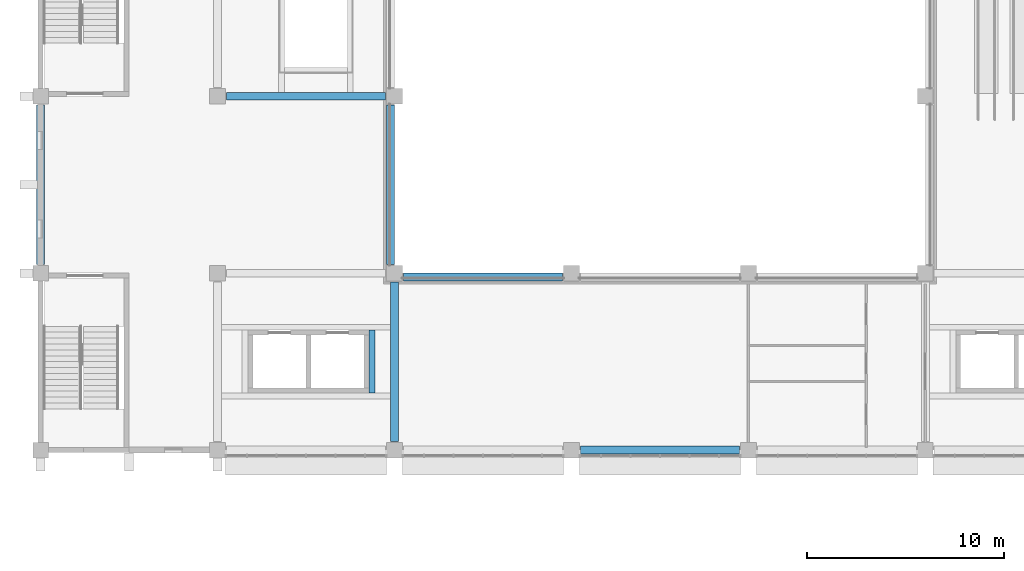
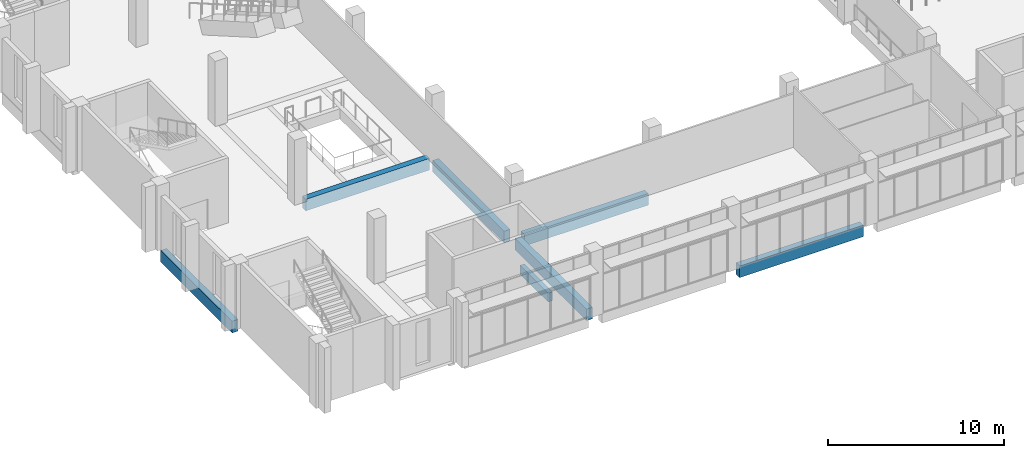
# One storey, part 4 of 106: 7 beams.
"""IFC4 building model written with IfcOpenShell, lengths in metres."""

from ifc_helpers import new_model, si_unit, direction, frame, origin, origin_2d, place, context, subcontext, project, spatial, rectangle, extrude, material, material_profile, profile_set, type_object, element, save


model = new_model("IFC4")

# Units and contexts
model_context = context("Model", 3, precision=1e-05, world=origin(), true_north=direction((0.0, 1.0)))
body_context = subcontext(model_context, "Body", "Model", "MODEL_VIEW")
ifc_project = project(units=[si_unit("LENGTHUNIT", "METRE"), si_unit("AREAUNIT", "SQUARE_METRE"), si_unit("VOLUMEUNIT", "CUBIC_METRE"), si_unit("PLANEANGLEUNIT", "RADIAN"), si_unit("MASSUNIT", "GRAM", prefix="KILO")], contexts=[model_context])

# Site, building, storey
site_placement = place(None, origin())
site = spatial("IfcSite", under=ifc_project, at=site_placement, CompositionType="ELEMENT")
building_placement = place(site_placement, origin())
building = spatial("IfcBuilding", under=site, at=building_placement, Name="Guidao Yard Department Store", CompositionType="ELEMENT")
storey_placement = place(building_placement, frame((0.0, 0.0, 10.5)))
storey = spatial("IfcBuildingStorey", under=building, at=storey_placement, Name="L02", CompositionType="ELEMENT", Elevation=10.5)

# Beams
ifc_material_1 = material(Name="Concrete C40", Category="concrete")
ifc_material_profile_1 = material_profile(ifc_material_1, rectangle(XDim=0.39990234375, YDim=0.800048828125, at=origin_2d()), Name="Edge beam 400 x 800 C40")
ifc_profile_set_1 = profile_set([ifc_material_profile_1], Name="Concrete C40")
beam_type_1 = type_object("IfcBeamType", Name="Edge beam 400 x 800 C40", PredefinedType="BEAM", material=ifc_profile_set_1)
for number, where, z_axis, x_axis, name in (
    (1, (17.800048828125, 54.449951171875, -0.39990234375), (0.0, 1.0, 0.0), (-1.0, 0.0, 0.0), "Beam EB15"),
    (2, (18.449951171875, 53.800048828125, -0.39990234375), (1.0, 0.0, 0.0), (0.0, 1.0, 0.0), "Beam EB19"),
    (3, (18.0, 45.449951171875, -0.39990234375), (0.0, 1.0, 0.0), (-1.0, 0.0, 0.0), "Beam EB64"),
    (4, (9.449951171875, 63.0, -0.39990234375), (1.0, 0.0, 0.0), (0.0, 1.0, 0.0), "Beam EB65"),
):
    element("IfcBeam", number, at=place(storey_placement, frame(where, z_axis=z_axis, x_axis=x_axis)), inside=storey, type_object=beam_type_1, Name=name, PredefinedType="BEAM", context=body_context, shape_type="SweptSolid", body=[
        extrude(rectangle(XDim=0.39990234375, YDim=0.800048828125, at=origin_2d()), origin(), (0.0, 0.0, 1.0), 8.10009765625),
    ])
ifc_material_2 = material(Name="Concrete C40", Category="concrete")
ifc_material_profile_2 = material_profile(ifc_material_2, rectangle(XDim=0.300048828125, YDim=0.60009765625, at=origin_2d()), Name="Opening beam 300 x 600 C40")
ifc_profile_set_2 = profile_set([ifc_material_profile_2], Name="Concrete C40")
beam_type_2 = type_object("IfcBeamType", Name="Opening beam 300 x 600 C40", PredefinedType="BEAM", material=ifc_profile_set_2)
beam_placement = place(storey_placement, frame((16.85009765625, 47.89990234375, -0.300048828125), z_axis=(0.0, 1.0, 0.0), x_axis=(-1.0, 0.0, 0.0)))
element("IfcBeam", 5, at=beam_placement, inside=storey, type_object=beam_type_2, Name="Beam OB04", PredefinedType="BEAM", context=body_context, shape_type="SweptSolid", body=[
    extrude(rectangle(XDim=0.300048828125, YDim=0.60009765625, at=origin_2d()), origin(), (0.0, 0.0, 1.0), 3.2001953125),
])
ifc_material_3 = material(Name="Concrete C40", Category="concrete")
ifc_material_profile_3 = material_profile(ifc_material_3, rectangle(XDim=0.39990234375, YDim=0.800048828125, at=origin_2d()), Name="Spandrel beam 400 x 800 C40")
ifc_profile_set_3 = profile_set([ifc_material_profile_3], Name="Concrete C40")
beam_type_3 = type_object("IfcBeamType", Name="Spandrel beam 400 x 800 C40", PredefinedType="SPANDREL", material=ifc_profile_set_3)
for number, where, z_axis, x_axis, name in (
    (6, (27.449951171875, 45.0, -0.39990234375), (1.0, 0.0, 0.0), (0.0, 1.0, 0.0), "Beam EB03"),
    (7, (0.0, 54.449951171875, -0.39990234375), (0.0, 1.0, 0.0), (-1.0, 0.0, 0.0), "Beam EB06"),
):
    element("IfcBeam", number, at=place(storey_placement, frame(where, z_axis=z_axis, x_axis=x_axis)), inside=storey, type_object=beam_type_3, Name=name, PredefinedType="SPANDREL", context=body_context, shape_type="SweptSolid", body=[
        extrude(rectangle(XDim=0.39990234375, YDim=0.800048828125, at=origin_2d()), origin(), (0.0, 0.0, 1.0), 8.10009765625),
    ])

save(model, "model.ifc")
